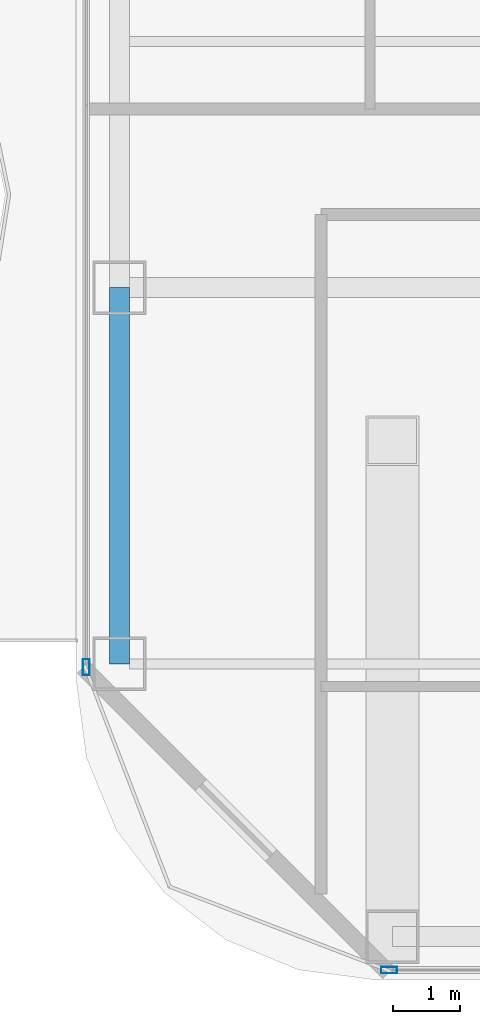
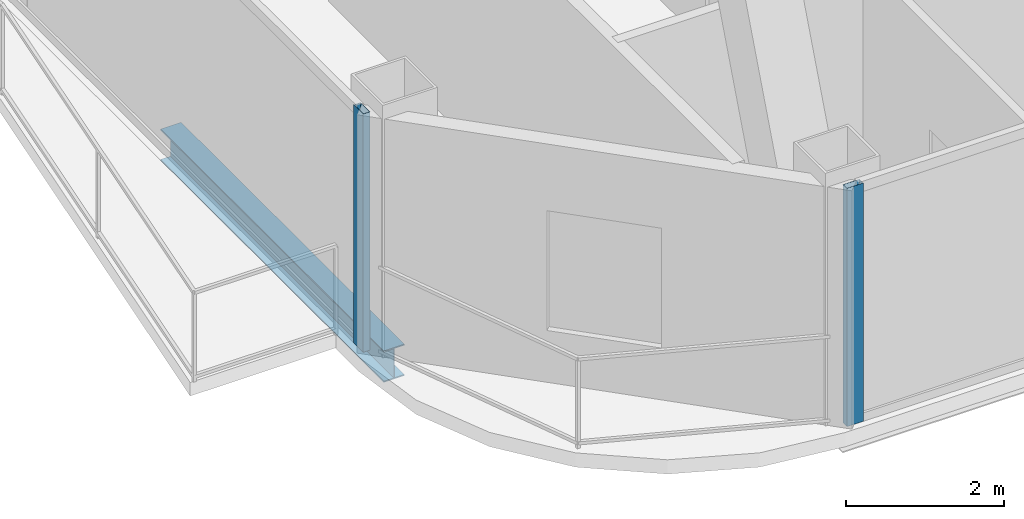
# One storey, part 2 of 33: 2 members, 1 beam, 2 elements without a shape of their own.
"""IFC4 building model written with IfcOpenShell, lengths in metres."""

import ifcopenshell
import ifcopenshell.guid

model = None  # the IFC model being written
_history = None  # IfcOwnerHistory: only IFC2X3 demands one
_inside = {}  # id of a spatial element -> (the spatial element, [elements in it])
_under = {}  # id of a project, library or spatial element -> (it, [spatial elements below it])
_declared = {}  # id of a project -> (the project, [libraries it declares])
_typed = {}  # id of a type object -> (the type object, [elements of that type])
_made_of = {}  # id of a material, layer set ... -> (it, [elements and type objects made of it])


def new_model(schema):
    """Start an empty IFC model of exactly this schema.

    Asked for "IFC4X3", IfcOpenShell would pick the latest addendum, in which some entities
    have other attributes; the version numbers below select the first issue.
    IFC2X3 requires an IfcOwnerHistory on every rooted entity: one is made here for all.
    """
    global model, _history
    if schema == "IFC4X3":
        model = ifcopenshell.file(schema_version=(4, 3, 0, 0))
    else:
        model = ifcopenshell.file(schema=schema)
    _inside.clear()
    _under.clear()
    _declared.clear()
    _typed.clear()
    _made_of.clear()
    _history = None
    if model.schema == "IFC2X3":
        org = make("IfcOrganization", Name="unknown")
        user = make(
            "IfcPersonAndOrganization",
            ThePerson=make("IfcPerson", FamilyName="unknown"),
            TheOrganization=org,
        )
        app = make(
            "IfcApplication",
            ApplicationDeveloper=org,
            Version="unknown",
            ApplicationFullName="unknown",
            ApplicationIdentifier="unknown",
        )
        _history = make(
            "IfcOwnerHistory",
            OwningUser=user,
            OwningApplication=app,
            ChangeAction="ADDED",
            CreationDate=0,
        )
    return model


def make(cls, **values):
    """One entity of the class cls with the attributes given. An attribute that is None is left unset."""
    return model.create_entity(
        cls, **{name: value for name, value in values.items() if value is not None}
    )


def rooted(cls, **values):
    """An entity with a GlobalId (a new one), such as an element, a storey or a relation."""
    return make(cls, GlobalId=ifcopenshell.guid.new(), OwnerHistory=_history, **values)


def si_unit(unit_type, name, prefix=None):
    """IfcSIUnit, for example si_unit("LENGTHUNIT", "METRE", prefix="MILLI")."""
    return make("IfcSIUnit", UnitType=unit_type, Prefix=prefix, Name=name)


def assignment(units):
    """IfcUnitAssignment: the units of a project."""
    return None if units is None else make("IfcUnitAssignment", Units=units)


def point(xyz):
    """IfcCartesianPoint."""
    return None if xyz is None else make("IfcCartesianPoint", Coordinates=xyz)


def direction(xyz):
    """IfcDirection."""
    return None if xyz is None else make("IfcDirection", DirectionRatios=xyz)


def frame(location, z_axis=None, x_axis=None):
    """IfcAxis2Placement3D, a coordinate frame: its origin and axes. An axis left out is left unset."""
    return make(
        "IfcAxis2Placement3D",
        Location=point(location),
        Axis=direction(z_axis),
        RefDirection=direction(x_axis),
    )


def frame_2d(location, x_axis=None):
    """IfcAxis2Placement2D, a coordinate frame in the plane: its origin and x axis."""
    return make(
        "IfcAxis2Placement2D", Location=point(location), RefDirection=direction(x_axis)
    )


def origin():
    """The frame at (0, 0, 0) with its axes left unset."""
    return frame((0.0, 0.0, 0.0))


def origin_2d():
    """The frame at (0, 0) in the plane with its x axis left unset."""
    return frame_2d((0.0, 0.0))


def place(relative_to, where):
    """IfcLocalPlacement: puts the frame where relative to a parent placement (None: the world)."""
    return make(
        "IfcLocalPlacement", PlacementRelTo=relative_to, RelativePlacement=where
    )


def context(
    kind, dimensions, precision=None, world=None, true_north=None, identifier=None
):
    """IfcGeometricRepresentationContext, for example the 3D "Model" context."""
    return make(
        "IfcGeometricRepresentationContext",
        ContextIdentifier=identifier,
        ContextType=kind,
        CoordinateSpaceDimension=dimensions,
        Precision=precision,
        WorldCoordinateSystem=world,
        TrueNorth=true_north,
    )


def subcontext(parent, identifier, kind, view, scale=None):
    """IfcGeometricRepresentationSubContext, for example "Body" below "Model"."""
    return make(
        "IfcGeometricRepresentationSubContext",
        ContextIdentifier=identifier,
        ContextType=kind,
        ParentContext=parent,
        TargetScale=scale,
        TargetView=view,
    )


def project(units=None, contexts=None):
    """IfcProject with its units and contexts."""
    return rooted(
        "IfcProject",
        Name="project",
        RepresentationContexts=contexts,
        UnitsInContext=assignment(units),
    )


def spatial(cls, under=None, at=None, **own):
    """A site, building, storey or space (cls), placed at a placement, below another one or the project."""
    s = rooted(cls, ObjectPlacement=at, **own)
    if under is not None:
        _under.setdefault(under.id(), (under, []))[1].append(s)
    return s


def profile(cls, at=None, kind="AREA", **sizes):
    """A parametric profile (cls). Its sizes go by their IFC names, for example OverallWidth=200.0."""
    return make(cls, ProfileType=kind, Position=at, **sizes)


def hollow_rectangle(**sizes):
    """IfcRectangleHollowProfileDef."""
    return profile("IfcRectangleHollowProfileDef", **sizes)


def i_section(**sizes):
    """IfcIShapeProfileDef."""
    return profile("IfcIShapeProfileDef", **sizes)


def extrude(swept, where, along, depth):
    """IfcExtrudedAreaSolid: the profile swept, set in the frame where, extruded along a direction by depth."""
    return make(
        "IfcExtrudedAreaSolid",
        SweptArea=swept,
        Position=where,
        ExtrudedDirection=direction(along),
        Depth=depth,
    )


def shape(context_of_items, identifier, shape_type, items):
    """IfcShapeRepresentation: the items that make up one representation, for example the "Body"."""
    return make(
        "IfcShapeRepresentation",
        ContextOfItems=context_of_items,
        RepresentationIdentifier=identifier,
        RepresentationType=shape_type,
        Items=items,
    )


def material(Name=None, Category=None):
    """IfcMaterial."""
    return make("IfcMaterial", Name=Name, Category=Category)


def layer(
    of_material, thickness, ventilated=None, Name=None, Category=None, Priority=None
):
    """IfcMaterialLayer: one layer of a wall or slab, of a material (None: an air gap)."""
    return make(
        "IfcMaterialLayer",
        Material=of_material,
        LayerThickness=thickness,
        IsVentilated=ventilated,
        Name=Name,
        Category=Category,
        Priority=Priority,
    )


def layer_set(layers, Name=None):
    """IfcMaterialLayerSet."""
    return make("IfcMaterialLayerSet", MaterialLayers=layers, LayerSetName=Name)


def material_profile(
    of_material, cross_section, Name=None, Category=None, Priority=None
):
    """IfcMaterialProfile: a cross section and its material."""
    return make(
        "IfcMaterialProfile",
        Name=Name,
        Material=of_material,
        Profile=cross_section,
        Priority=Priority,
        Category=Category,
    )


def profile_set(profiles, Name=None, composite=None):
    """IfcMaterialProfileSet."""
    return make(
        "IfcMaterialProfileSet",
        Name=Name,
        MaterialProfiles=profiles,
        CompositeProfile=composite,
    )


def made_of(thing, what):
    """Note that an element or type object is made of a material, layer set ...; save() writes the relation."""
    if what is not None:
        _made_of.setdefault(what.id(), (what, []))[1].append(thing)
    return thing


def type_object(cls, material=None, **own):
    """A type object (cls), such as IfcWallType, which elements share."""
    return made_of(rooted(cls, **own), material)


def element(
    cls,
    number,
    at=None,
    inside=None,
    cuts=None,
    type_object=None,
    material=None,
    context=None,
    identifier="Body",
    shape_type=None,
    held_by="IfcProductDefinitionShape",
    body=None,
    shapes=None,
    **own,
):
    """One element of the class cls, such as IfcWall. Its Tag is "e" and its number.

    at: its placement. inside: the storey or other place that contains it. cuts: it is an
    opening in that element (IfcRelVoidsElement). A single representation is given by context,
    identifier, shape_type and body (its items); several are given by shapes. held_by: the class
    of the entity that holds the representations. save() writes the other relations.
    """
    e = rooted(cls, Tag="e%d" % number, ObjectPlacement=at, **own)
    if body is not None:
        shapes = [shape(context, identifier, shape_type, body)]
    if shapes is not None:
        e.Representation = make(held_by, Representations=shapes)
    if inside is not None:
        _inside.setdefault(inside.id(), (inside, []))[1].append(e)
    if cuts is not None:
        rooted(
            "IfcRelVoidsElement", RelatingBuildingElement=cuts, RelatedOpeningElement=e
        )
    if type_object is not None:
        _typed.setdefault(type_object.id(), (type_object, []))[1].append(e)
    return made_of(e, material)


def aggregate(whole, parts):
    """IfcRelAggregates: a whole, such as a stair, and the parts it consists of."""
    return rooted("IfcRelAggregates", RelatingObject=whole, RelatedObjects=parts)


def save(model, path):
    """Write the relations noted so far, then the file.

    IfcRelAggregates (storeys below a building ...), IfcRelContainedInSpatialStructure (elements
    in a storey), IfcRelDefinesByType, IfcRelAssociatesMaterial and IfcRelDeclares: one each for
    every whole, place, type object, material and project.
    """
    for whole, parts in _under.values():
        aggregate(whole, parts)
    for where, things in _inside.values():
        rooted(
            "IfcRelContainedInSpatialStructure",
            RelatedElements=things,
            RelatingStructure=where,
        )
    for kind, things in _typed.values():
        rooted("IfcRelDefinesByType", RelatedObjects=things, RelatingType=kind)
    for what, things in _made_of.values():
        rooted("IfcRelAssociatesMaterial", RelatedObjects=things, RelatingMaterial=what)
    for by, libraries in _declared.values():
        rooted("IfcRelDeclares", RelatingContext=by, RelatedDefinitions=libraries)
    model.write(path)


model = new_model("IFC4")

# Units and contexts
model_context = context("Model", 3, precision=1e-05, world=origin(), true_north=direction((0.0, 1.0)))
body_context = subcontext(model_context, "Body", "Model", "MODEL_VIEW")
ifc_project = project(units=[si_unit("LENGTHUNIT", "METRE"), si_unit("AREAUNIT", "SQUARE_METRE"), si_unit("VOLUMEUNIT", "CUBIC_METRE"), si_unit("PLANEANGLEUNIT", "RADIAN"), si_unit("MASSUNIT", "GRAM", prefix="KILO")], contexts=[model_context])

# Site, building, storey
site_placement = place(None, origin())
site = spatial("IfcSite", under=ifc_project, at=site_placement, CompositionType="ELEMENT")
building_placement = place(site_placement, origin())
building = spatial("IfcBuilding", under=site, at=building_placement, Name="Khorvyn Point Tower", CompositionType="ELEMENT")
storey_placement = place(building_placement, frame((0.0, 0.0, 65.699951171875)))
storey = spatial("IfcBuildingStorey", under=building, at=storey_placement, Name="L17", CompositionType="ELEMENT", Elevation=65.699951171875)

# Curtain wall, member
ifc_material_1 = material(Name="Anodised aluminium 6063-T6 and laminated Low-E glass", Category="aluminium")
ifc_layer = layer(ifc_material_1, 0.18994140625)
ifc_layer_set = layer_set([ifc_layer], Name="Stick-Built Finned Residential Curtain Wall CW-SYS-02")
curtain_wall_type = type_object("IfcCurtainWallType", Name="Stick-Built Finned Residential Curtain Wall CW-SYS-02", PredefinedType="NOTDEFINED", material=ifc_layer_set)
curtain_wall_1_placement = place(storey_placement, origin())
curtain_wall_1 = element("IfcCurtainWall", 1, at=curtain_wall_1_placement, inside=storey, type_object=curtain_wall_type, Name="Curtain Wall", PredefinedType="NOTDEFINED")
ifc_material_2 = material(Name="Anodised aluminium 6063-T6", Category="aluminium")
ifc_material_profile_1 = material_profile(ifc_material_2, hollow_rectangle(XDim=0.10009765625, YDim=0.239990234375, WallThickness=0.0048828125, at=origin_2d()))
ifc_profile_set_1 = profile_set([ifc_material_profile_1], Name="Anodised aluminium 6063-T6 ALU-MUL-100x240")
member_type = type_object("IfcMemberType", Name="Anodised Aluminium 6063-T6 Mullion ALU-MUL-100x240", PredefinedType="MULLION", material=ifc_profile_set_1)
member_1_placement = place(storey_placement, frame((-23.39990234375, -25.050048828125, 0.0), z_axis=(0.0, 0.0, 1.0), x_axis=(0.0, -1.0, 0.0)))
member_1 = element("IfcMember", 2, at=member_1_placement, type_object=member_type, Name="Transom", PredefinedType="MULLION", context=body_context, shape_type="SweptSolid", body=[
    extrude(hollow_rectangle(XDim=0.10009765625, YDim=0.239990234375, WallThickness=0.0048828125, at=origin_2d()), origin(), (0.0, 0.0, 1.0), 3.679931640625),
])
aggregate(curtain_wall_1, [member_1])

curtain_wall_2_placement = place(storey_placement, origin())
curtain_wall_2 = element("IfcCurtainWall", 3, at=curtain_wall_2_placement, inside=storey, type_object=curtain_wall_type, Name="Curtain Wall", PredefinedType="NOTDEFINED")
member_2_placement = place(storey_placement, frame((-27.949951171875, -20.5, 0.0), z_axis=(0.0, 0.0, 1.0), x_axis=(-1.0, 0.0, 0.0)))
member_2 = element("IfcMember", 4, at=member_2_placement, type_object=member_type, Name="Transom", PredefinedType="MULLION", context=body_context, shape_type="SweptSolid", body=[
    extrude(hollow_rectangle(XDim=0.10009765625, YDim=0.239990234375, WallThickness=0.0048828125, at=origin_2d()), origin(), (0.0, 0.0, 1.0), 3.679931640625),
])
aggregate(curtain_wall_2, [member_2])

# Beam
ifc_material_3 = material(Name="Steel S355", Category="steel")
ifc_material_profile_2 = material_profile(ifc_material_3, i_section(OverallWidth=0.300048828125, OverallDepth=0.488037109375, WebThickness=0.010986328125, FlangeThickness=0.01806640625, at=origin_2d()))
ifc_profile_set_2 = profile_set([ifc_material_profile_2], Name="Steel S355 H488x300x11x18")
beam_type = type_object("IfcBeamType", Name="Steel S355 Spandrel H488x300x11x18", PredefinedType="SPANDREL", material=ifc_profile_set_2)
beam_placement = place(storey_placement, frame((-27.449951171875, -20.449951171875, -0.4638671875), z_axis=(0.0, 1.0, 0.0), x_axis=(-1.0, 0.0, 0.0)))
element("IfcBeam", 5, at=beam_placement, inside=storey, type_object=beam_type, Name="Beam", PredefinedType="SPANDREL", context=body_context, shape_type="SweptSolid", body=[
    extrude(i_section(OverallWidth=0.300048828125, OverallDepth=0.488037109375, WebThickness=0.010986328125, FlangeThickness=0.01806640625, at=origin_2d()), origin(), (0.0, 0.0, 1.0), 5.64990234375),
])

save(model, "model.ifc")
